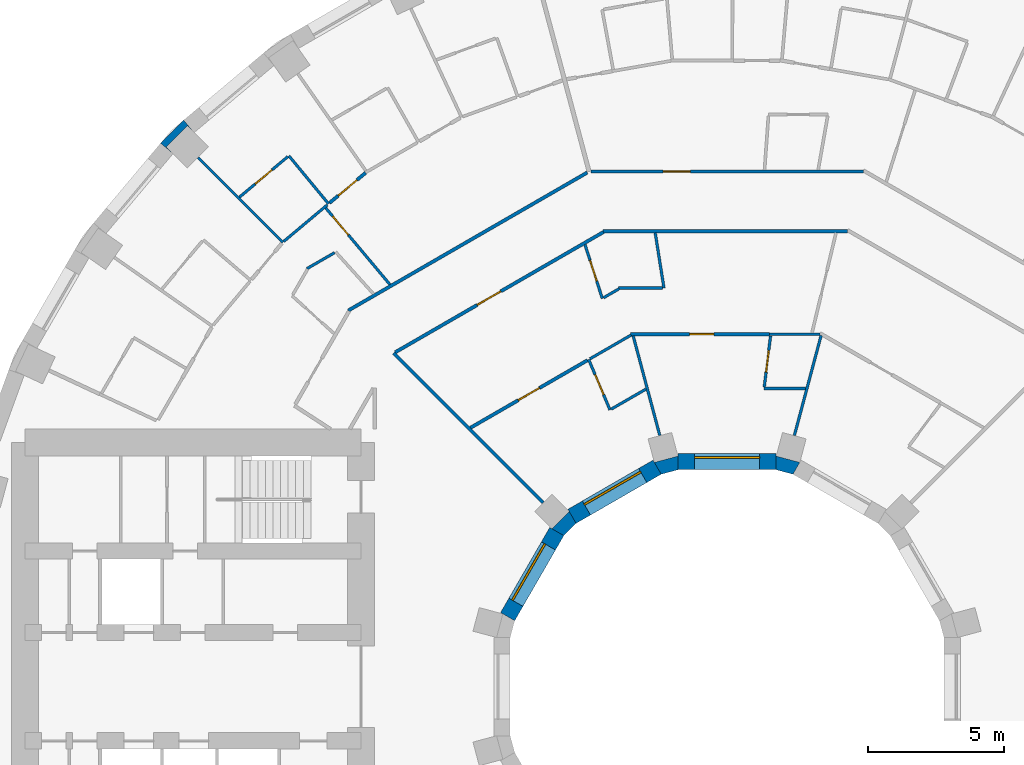
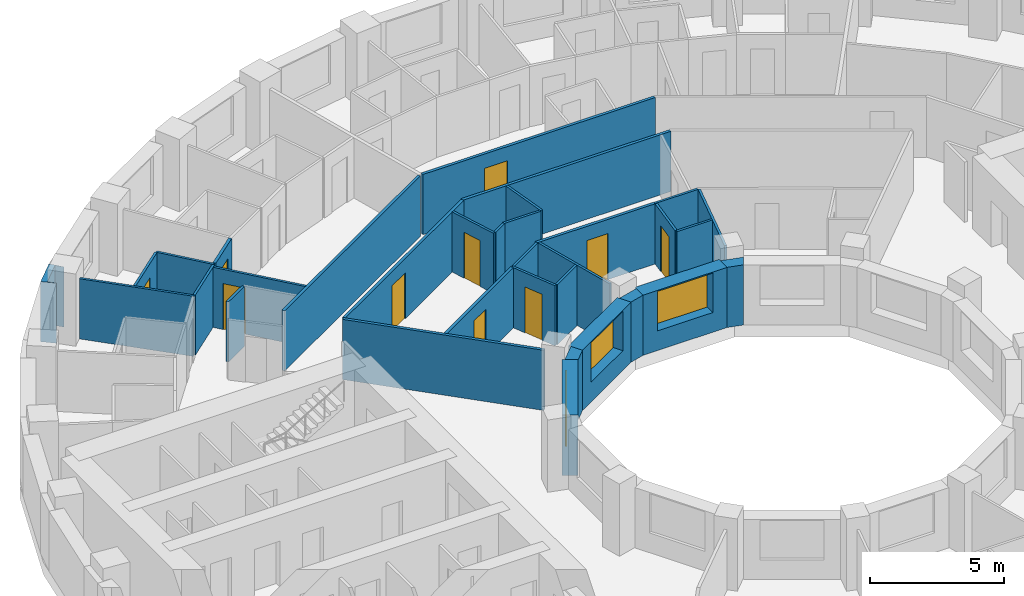
# One storey, part 9 of 14: 33 walls, 10 doors, 3 windows, 13 openings.
"""IFC4 building model written with IfcOpenShell, lengths in metres."""

from ifc_helpers import new_model, si_unit, direction, frame, frame_2d, origin, place, context, subcontext, project, spatial, polyline, rectangle, outline, extrude, material, layer, layer_set, type_object, element, fill, save


model = new_model("IFC4")

# Units and contexts
model_context = context("Model", 3, precision=1e-05, world=origin(), true_north=direction((0.0, 1.0)))
body_context = subcontext(model_context, "Body", "Model", "MODEL_VIEW")
ifc_project = project(units=[si_unit("LENGTHUNIT", "METRE"), si_unit("AREAUNIT", "SQUARE_METRE"), si_unit("VOLUMEUNIT", "CUBIC_METRE"), si_unit("PLANEANGLEUNIT", "RADIAN"), si_unit("MASSUNIT", "GRAM", prefix="KILO")], contexts=[model_context])

# Site, building, storey
site_placement = place(None, origin())
site = spatial("IfcSite", under=ifc_project, at=site_placement, CompositionType="ELEMENT")
building_placement = place(site_placement, origin())
building = spatial("IfcBuilding", under=site, at=building_placement, Name="Saqina Gate Tower", CompositionType="ELEMENT")
storey_placement = place(building_placement, frame((0.0, 0.0, 49.39990234375)))
storey = spatial("IfcBuildingStorey", under=building, at=storey_placement, Name="L13", CompositionType="ELEMENT", Elevation=49.39990234375)

# Wall
ifc_material_1 = material(Name="Brick masonry (red)", Category="masonry")
wall_type_1 = type_object("IfcWallType", Name="BRICK PIER COPING RED", PredefinedType="SOLIDWALL", material=ifc_material_1)
wall_1_placement = place(storey_placement, origin())
element("IfcWall", 1, at=wall_1_placement, inside=storey, type_object=wall_type_1, Name="Pier cap L13 column 14", PredefinedType="SOLIDWALL", context=body_context, shape_type="SweptSolid", body=[
    extrude(outline(polyline([(-20.894775390625, 20.04296875), (-20.43505859375, 19.6572265625), (-20.682861328125, 19.905029296875), (-19.905029296875, 20.682861328125), (-19.6572265625, 20.43505859375), (-20.04296875, 20.894775390625), (-20.894775390625, 20.04296875)])), origin(), (0.0, 0.0, 1.0), 2.75),
])

# Wall, opening, window
ifc_material_2 = material(Name="Glazed ceramic tile", Category="ceramic")
ifc_layer_1 = layer(ifc_material_2, 0.60009765625)
ifc_layer_set_1 = layer_set([ifc_layer_1], Name="IW-TILE")
wall_type_2 = type_object("IfcWallType", Name="IW-TILE", PredefinedType="SOLIDWALL", material=ifc_layer_set_1)
wall_2_placement = place(storey_placement, frame((1.8125, 8.300048828125, 0.0), z_axis=(0.0, 0.0, 1.0), x_axis=(-1.0, 0.0, 0.0)))
wall_2 = element("IfcWall", 2, at=wall_2_placement, inside=storey, type_object=wall_type_2, Name="Well wall L13 facet 3", PredefinedType="SOLIDWALL", context=body_context, shape_type="SweptSolid", body=[
    extrude(rectangle(XDim=3.625, YDim=0.60009765625, at=frame_2d((1.8125, 0.0))), origin(), (0.0, 0.0, 1.0), 2.75),
])
opening_1_placement = place(wall_2_placement, frame((0.612548828125, 0.0, 0.89990234375)))
opening_1 = element("IfcOpeningElement", 3, at=opening_1_placement, cuts=wall_2, Name="Opening G03-W28", PredefinedType="OPENING", context=body_context, shape_type="SweptSolid", body=[
    extrude(rectangle(XDim=2.39990234375, YDim=1.800048828125, at=frame_2d((1.199951171875, 0.89990234375))), frame((0.0, 0.31201171875, 0.0), z_axis=(0.0, -1.0, 0.0), x_axis=(1.0, 0.0, 0.0)), (0.0, 0.0, 1.0), 0.6240234375),
])
ifc_material_3 = material(Name="Aluminium glazing", Category="aluminium")
window_type = type_object("IfcWindowType", Name="WN-W", PartitioningType="SINGLE_PANEL", PredefinedType="WINDOW", material=ifc_material_3)
window_1_placement = place(opening_1_placement, origin())
window_1 = element("IfcWindow", 4, at=window_1_placement, inside=storey, type_object=window_type, Name="Well window L13 facet 3", OverallHeight=1.800048828125, OverallWidth=2.39990234375, PartitioningType="SINGLE_PANEL", PredefinedType="WINDOW", context=body_context, shape_type="SweptSolid", body=[
    extrude(rectangle(XDim=2.39990234375, YDim=1.800048828125, at=frame_2d((1.199951171875, 0.89990234375))), frame((0.0, -0.119873046875, 0.0), z_axis=(0.0, -1.0, 0.0), x_axis=(1.0, 0.0, 0.0)), (0.0, 0.0, 1.0), 0.06005859375),
])
fill(opening_1, window_1)

wall_3_placement = place(storey_placement, frame((-2.580322265625, 8.09423828125, 0.0), z_axis=(0.0, 0.0, 1.0), x_axis=(-0.866029693906, -0.499992569217, 0.0)))
wall_3 = element("IfcWall", 5, at=wall_3_placement, inside=storey, type_object=wall_type_2, Name="Well wall L13 facet 4", PredefinedType="SOLIDWALL", context=body_context, shape_type="SweptSolid", body=[
    extrude(rectangle(XDim=3.625, YDim=0.60009765625, at=frame_2d((1.8125, 0.0))), origin(), (0.0, 0.0, 1.0), 2.75),
])
opening_2_placement = place(wall_3_placement, frame((0.612548828125, 0.0, 0.89990234375)))
opening_2 = element("IfcOpeningElement", 6, at=opening_2_placement, cuts=wall_3, Name="Opening G03-W29", PredefinedType="OPENING", context=body_context, shape_type="SweptSolid", body=[
    extrude(rectangle(XDim=2.39990234375, YDim=1.800048828125, at=frame_2d((1.199951171875, 0.89990234375))), frame((0.0, 0.31201171875, 0.0), z_axis=(0.0, -1.0, 0.0), x_axis=(1.0, 0.0, 0.0)), (0.0, 0.0, 1.0), 0.6240234375),
])
window_2_placement = place(opening_2_placement, origin())
window_2 = element("IfcWindow", 7, at=window_2_placement, inside=storey, type_object=window_type, Name="Well window L13 facet 4", OverallHeight=1.800048828125, OverallWidth=2.39990234375, PartitioningType="SINGLE_PANEL", PredefinedType="WINDOW", context=body_context, shape_type="SweptSolid", body=[
    extrude(rectangle(XDim=2.39990234375, YDim=1.800048828125, at=frame_2d((1.199951171875, 0.89990234375))), frame((0.0, -0.119873046875, 0.0), z_axis=(0.0, -1.0, 0.0), x_axis=(1.0, 0.0, 0.0)), (0.0, 0.0, 1.0), 0.06005859375),
])
fill(opening_2, window_2)

wall_4_placement = place(storey_placement, frame((-6.28173828125, 5.7197265625, 0.0), z_axis=(0.0, 0.0, 1.0), x_axis=(-0.499992569217, -0.866029693906, 0.0)))
wall_4 = element("IfcWall", 8, at=wall_4_placement, inside=storey, type_object=wall_type_2, Name="Well wall L13 facet 5", PredefinedType="SOLIDWALL", context=body_context, shape_type="SweptSolid", body=[
    extrude(rectangle(XDim=3.625, YDim=0.60009765625, at=frame_2d((1.8125, 0.0))), origin(), (0.0, 0.0, 1.0), 2.75),
])
opening_3_placement = place(wall_4_placement, frame((0.612548828125, 0.0, 0.89990234375)))
opening_3 = element("IfcOpeningElement", 9, at=opening_3_placement, cuts=wall_4, Name="Opening G03-W30", PredefinedType="OPENING", context=body_context, shape_type="SweptSolid", body=[
    extrude(rectangle(XDim=2.39990234375, YDim=1.800048828125, at=frame_2d((1.199951171875, 0.89990234375))), frame((0.0, 0.31201171875, 0.0), z_axis=(0.0, -1.0, 0.0), x_axis=(1.0, 0.0, 0.0)), (0.0, 0.0, 1.0), 0.6240234375),
])
window_3_placement = place(opening_3_placement, origin())
window_3 = element("IfcWindow", 10, at=window_3_placement, inside=storey, type_object=window_type, Name="Well window L13 facet 5", OverallHeight=1.800048828125, OverallWidth=2.39990234375, PartitioningType="SINGLE_PANEL", PredefinedType="WINDOW", context=body_context, shape_type="SweptSolid", body=[
    extrude(rectangle(XDim=2.39990234375, YDim=1.800048828125, at=frame_2d((1.199951171875, 0.89990234375))), frame((0.0, -0.119873046875, 0.0), z_axis=(0.0, -1.0, 0.0), x_axis=(1.0, 0.0, 0.0)), (0.0, 0.0, 1.0), 0.06005859375),
])
fill(opening_3, window_3)

# Walls
ifc_material_4 = material(Name="Gypsum board on steel studs, 100 mm", Category="steel")
ifc_layer_2 = layer(ifc_material_4, 0.10009765625)
ifc_layer_set_2 = layer_set([ifc_layer_2], Name="PARTITION 100")
wall_type_3 = type_object("IfcWallType", Name="PARTITION 100", PredefinedType="PARTITIONING", material=ifc_layer_set_2)
wall_5_placement = place(storey_placement, frame((-2.651123046875, 16.73828125, 0.0), z_axis=(0.0, 0.0, 1.0), x_axis=(0.156624679591, -0.987658194794, 0.0)))
element("IfcWall", 11, at=wall_5_placement, inside=storey, type_object=wall_type_3, Name="PARTITION PW3-04", PredefinedType="PARTITIONING", context=body_context, shape_type="SweptSolid", body=[
    extrude(rectangle(XDim=2.063720703125, YDim=0.10009765625, at=frame_2d((1.03173828125, 0.0))), origin(), (0.0, 0.0, 1.0), 2.75),
])
wall_6_placement = place(storey_placement, frame((-3.46435546875, 12.940185546875, 0.0), z_axis=(0.0, 0.0, 1.0), x_axis=(0.258149993738, -0.966104849762, 0.0)))
element("IfcWall", 12, at=wall_6_placement, inside=storey, type_object=wall_type_3, Name="PARTITION PW3-07", PredefinedType="PARTITIONING", context=body_context, shape_type="SweptSolid", body=[
    extrude(rectangle(XDim=3.8037109375, YDim=0.10009765625, at=frame_2d((1.90185546875, 0.0))), origin(), (0.0, 0.0, 1.0), 2.75),
])

# Wall, opening, door
wall_7_placement = place(storey_placement, frame((-5.240966796875, 16.302490234375, 0.0), z_axis=(0.0, 0.0, 1.0), x_axis=(0.306308477414, -0.951932306766, 0.0)))
wall_7 = element("IfcWall", 13, at=wall_7_placement, inside=storey, type_object=wall_type_3, Name="PARTITION PW3-10", PredefinedType="PARTITIONING", context=body_context, shape_type="SweptSolid", body=[
    extrude(rectangle(XDim=2.0859375, YDim=0.10009765625, at=frame_2d((1.04296875, 0.0))), origin(), (0.0, 0.0, 1.0), 2.75),
])
opening_4_placement = place(wall_7_placement, frame((0.611572265625, 0.0, 0.0)))
opening_4 = element("IfcOpeningElement", 14, at=opening_4_placement, cuts=wall_7, Name="Opening G03-D23", PredefinedType="OPENING", context=body_context, shape_type="SweptSolid", body=[
    extrude(rectangle(XDim=0.800048828125, YDim=2.10009765625, at=frame_2d((0.39990234375, 1.050048828125))), frame((0.0, 0.06201171875, 0.0), z_axis=(0.0, -1.0, 0.0), x_axis=(1.0, 0.0, 0.0)), (0.0, 0.0, 1.0), 0.1240234375),
])
ifc_material_5 = material(Name="Timber door leaf, 800 mm", Category="wood")
door_type_1 = type_object("IfcDoorType", Name="DOOR 800 TIMBER", OperationType="SINGLE_SWING_LEFT", PredefinedType="DOOR", material=ifc_material_5)
door_1_placement = place(opening_4_placement, frame((0.800048828125, 0.0, 0.0), z_axis=(0.0, 0.0, 1.0), x_axis=(-1.0, 0.0, 0.0)))
door_1 = element("IfcDoor", 15, at=door_1_placement, inside=storey, type_object=door_type_1, Name="DOOR G03-D23", OperationType="SINGLE_SWING_RIGHT", OverallHeight=2.10009765625, OverallWidth=0.800048828125, PredefinedType="DOOR", context=body_context, shape_type="SweptSolid", body=[
    extrude(rectangle(XDim=0.800048828125, YDim=2.10009765625, at=frame_2d((0.39990234375, 1.050048828125))), frame((0.0, 0.02490234375, 0.0), z_axis=(0.0, -1.0, 0.0), x_axis=(1.0, 0.0, 0.0)), (0.0, 0.0, 1.0), 0.050048828125),
])
fill(opening_4, door_1)

wall_8_placement = place(storey_placement, frame((-5.10400390625, 12.06396484375, 0.0), z_axis=(0.0, 0.0, 1.0), x_axis=(0.389513511619, -0.921020751268, 0.0)))
wall_8 = element("IfcWall", 16, at=wall_8_placement, inside=storey, type_object=wall_type_3, Name="PARTITION PW3-13", PredefinedType="PARTITIONING", context=body_context, shape_type="SweptSolid", body=[
    extrude(rectangle(XDim=2.01513671875, YDim=0.10009765625, at=frame_2d((1.007568359375, 0.0))), origin(), (0.0, 0.0, 1.0), 2.75),
])
opening_5_placement = place(wall_8_placement, frame((0.607666015625, 0.0, 0.0)))
opening_5 = element("IfcOpeningElement", 17, at=opening_5_placement, cuts=wall_8, Name="Opening G03-D25", PredefinedType="OPENING", context=body_context, shape_type="SweptSolid", body=[
    extrude(rectangle(XDim=0.800048828125, YDim=2.10009765625, at=frame_2d((0.39990234375, 1.050048828125))), frame((0.0, 0.06201171875, 0.0), z_axis=(0.0, -1.0, 0.0), x_axis=(1.0, 0.0, 0.0)), (0.0, 0.0, 1.0), 0.1240234375),
])
door_2_placement = place(opening_5_placement, frame((0.800048828125, 0.0, 0.0), z_axis=(0.0, 0.0, 1.0), x_axis=(-1.0, 0.0, 0.0)))
door_2 = element("IfcDoor", 18, at=door_2_placement, inside=storey, type_object=door_type_1, Name="DOOR G03-D25", OperationType="SINGLE_SWING_RIGHT", OverallHeight=2.10009765625, OverallWidth=0.800048828125, PredefinedType="DOOR", context=body_context, shape_type="SweptSolid", body=[
    extrude(rectangle(XDim=0.800048828125, YDim=2.10009765625, at=frame_2d((0.39990234375, 1.050048828125))), frame((0.0, 0.02490234375, 0.0), z_axis=(0.0, -1.0, 0.0), x_axis=(1.0, 0.0, 0.0)), (0.0, 0.0, 1.0), 0.050048828125),
])
fill(opening_5, door_2)

# Wall
wall_9_placement = place(storey_placement, frame((-16.1640625, 19.580078125, 0.0), z_axis=(0.0, 0.0, 1.0), x_axis=(0.636700344293, -0.771111322428, 0.0)))
element("IfcWall", 19, at=wall_9_placement, inside=storey, type_object=wall_type_3, Name="PARTITION PW3-26", PredefinedType="PARTITIONING", context=body_context, shape_type="SweptSolid", body=[
    extrude(rectangle(XDim=2.299560546875, YDim=0.10009765625, at=frame_2d((1.14990234375, 0.0))), origin(), (0.0, 0.0, 1.0), 2.75),
])

# Wall, opening, door
wall_10_placement = place(storey_placement, frame((-14.802978515625, 17.65478515625, 0.0), z_axis=(0.0, 0.0, 1.0), x_axis=(0.642514396039, -0.766273613589, 0.0)))
wall_10 = element("IfcWall", 20, at=wall_10_placement, inside=storey, type_object=wall_type_3, Name="PARTITION PW3-30", PredefinedType="PARTITIONING", context=body_context, shape_type="SweptSolid", body=[
    extrude(rectangle(XDim=3.68505859375, YDim=0.10009765625, at=frame_2d((1.842529296875, 0.0))), origin(), (0.0, 0.0, 1.0), 2.75),
])
opening_6_placement = place(wall_10_placement, frame((0.398681640625, 0.0, 0.0)))
opening_6 = element("IfcOpeningElement", 21, at=opening_6_placement, cuts=wall_10, Name="Opening G03-D31", PredefinedType="OPENING", context=body_context, shape_type="SweptSolid", body=[
    extrude(rectangle(XDim=0.89990234375, YDim=2.10009765625, at=frame_2d((0.449951171875, 1.050048828125))), frame((0.0, 0.06201171875, 0.0), z_axis=(0.0, -1.0, 0.0), x_axis=(1.0, 0.0, 0.0)), (0.0, 0.0, 1.0), 0.1240234375),
])
ifc_material_6 = material(Name="Timber door leaf, 900 mm", Category="wood")
door_type_2 = type_object("IfcDoorType", Name="DOOR 900 TIMBER", OperationType="SINGLE_SWING_LEFT", PredefinedType="DOOR", material=ifc_material_6)
door_3_placement = place(opening_6_placement, frame((0.89990234375, 0.0, 0.0), z_axis=(0.0, 0.0, 1.0), x_axis=(-1.0, 0.0, 0.0)))
door_3 = element("IfcDoor", 22, at=door_3_placement, inside=storey, type_object=door_type_2, Name="DOOR G03-D31", OperationType="SINGLE_SWING_RIGHT", OverallHeight=2.10009765625, OverallWidth=0.89990234375, PredefinedType="DOOR", context=body_context, shape_type="SweptSolid", body=[
    extrude(rectangle(XDim=0.89990234375, YDim=2.10009765625, at=frame_2d((0.449951171875, 1.050048828125))), frame((0.0, 0.02490234375, 0.0), z_axis=(0.0, -1.0, 0.0), x_axis=(1.0, 0.0, 0.0)), (0.0, 0.0, 1.0), 0.050048828125),
])
fill(opening_6, door_3)

# Walls
wall_11_placement = place(storey_placement, frame((-19.509033203125, 19.509033203125, 0.0), z_axis=(0.0, 0.0, 1.0), x_axis=(0.707106781187, -0.707106781187, 0.0)))
element("IfcWall", 23, at=wall_11_placement, inside=storey, type_object=wall_type_3, Name="PARTITION PW3-33", PredefinedType="PARTITIONING", context=body_context, shape_type="SweptSolid", body=[
    extrude(rectangle(XDim=4.41259765625, YDim=0.10009765625, at=frame_2d((2.206298828125, 0.0))), origin(), (0.0, 0.0, 1.0), 2.75),
])
wall_12_placement = place(storey_placement, frame((1.364013671875, 11.0, 0.0), z_axis=(0.0, 0.0, 1.0), x_axis=(1.0, 0.0, 0.0)))
element("IfcWall", 24, at=wall_12_placement, inside=storey, type_object=wall_type_3, Name="PARTITION PW3-64", PredefinedType="PARTITIONING", context=body_context, shape_type="SweptSolid", body=[
    extrude(rectangle(XDim=1.532958984375, YDim=0.10009765625, at=frame_2d((0.7666015625, 0.0))), origin(), (0.0, 0.0, 1.0), 2.75),
])
wall_13_placement = place(storey_placement, frame((1.56201171875, 13.0, 0.0), z_axis=(0.0, 0.0, 1.0), x_axis=(1.0, 0.0, 0.0)))
element("IfcWall", 25, at=wall_13_placement, inside=storey, type_object=wall_type_3, Name="PARTITION PW3-65", PredefinedType="PARTITIONING", context=body_context, shape_type="SweptSolid", body=[
    extrude(rectangle(XDim=1.8583984375, YDim=0.10009765625, at=frame_2d((0.92919921875, 0.0))), origin(), (0.0, 0.0, 1.0), 2.75),
])
wall_14_placement = place(storey_placement, frame((-3.996826171875, 14.699951171875, 0.0), z_axis=(0.0, 0.0, 1.0), x_axis=(1.0, 0.0, 0.0)))
element("IfcWall", 26, at=wall_14_placement, inside=storey, type_object=wall_type_3, Name="PARTITION PW3-66", PredefinedType="PARTITIONING", context=body_context, shape_type="SweptSolid", body=[
    extrude(rectangle(XDim=1.618896484375, YDim=0.10009765625, at=frame_2d((0.8095703125, 0.0))), origin(), (0.0, 0.0, 1.0), 2.75),
])
wall_15_placement = place(storey_placement, frame((-4.275634765625, 10.23291015625, 0.0), z_axis=(0.0, 0.0, 1.0), x_axis=(0.865996508191, 0.500050045296, 0.0)))
element("IfcWall", 27, at=wall_15_placement, inside=storey, type_object=wall_type_3, Name="PARTITION PW3-83", PredefinedType="PARTITIONING", context=body_context, shape_type="SweptSolid", body=[
    extrude(rectangle(XDim=1.483642578125, YDim=0.10009765625, at=frame_2d((0.74169921875, 0.0))), origin(), (0.0, 0.0, 1.0), 2.75),
])
wall_16_placement = place(storey_placement, frame((-5.060791015625, 12.089111328125, 0.0), z_axis=(0.0, 0.0, 1.0), x_axis=(0.86604000649, 0.499974706519, 0.0)))
element("IfcWall", 28, at=wall_16_placement, inside=storey, type_object=wall_type_3, Name="PARTITION PW3-84", PredefinedType="PARTITIONING", context=body_context, shape_type="SweptSolid", body=[
    extrude(rectangle(XDim=1.75927734375, YDim=0.10009765625, at=frame_2d((0.879638671875, 0.0))), origin(), (0.0, 0.0, 1.0), 2.75),
])
wall_17_placement = place(storey_placement, frame((-4.55859375, 14.342041015625, 0.0), z_axis=(0.0, 0.0, 1.0), x_axis=(0.865886254366, 0.500240936449, 0.0)))
element("IfcWall", 29, at=wall_17_placement, inside=storey, type_object=wall_type_3, Name="PARTITION PW3-85", PredefinedType="PARTITIONING", context=body_context, shape_type="SweptSolid", body=[
    extrude(rectangle(XDim=0.665771484375, YDim=0.10009765625, at=frame_2d((0.3330078125, 0.0))), origin(), (0.0, 0.0, 1.0), 2.75),
])
wall_18_placement = place(storey_placement, frame((-15.49609375, 15.417236328125, 0.0), z_axis=(0.0, 0.0, 1.0), x_axis=(0.866140661503, 0.499800314617, 0.0)))
element("IfcWall", 30, at=wall_18_placement, inside=storey, type_object=wall_type_3, Name="PARTITION PW3-86", PredefinedType="PARTITIONING", context=body_context, shape_type="SweptSolid", body=[
    extrude(rectangle(XDim=1.17626953125, YDim=0.10009765625, at=frame_2d((0.588134765625, 0.0))), origin(), (0.0, 0.0, 1.0), 2.75),
])
wall_19_placement = place(storey_placement, frame((-16.3505859375, 16.421142578125, 0.0), z_axis=(0.0, 0.0, 1.0), x_axis=(0.765854222204, 0.643014238048, 0.0)))
element("IfcWall", 31, at=wall_19_placement, inside=storey, type_object=wall_type_3, Name="PARTITION PW3-95", PredefinedType="PARTITIONING", context=body_context, shape_type="SweptSolid", body=[
    extrude(rectangle(XDim=2.0927734375, YDim=0.10009765625, at=frame_2d((1.04638671875, 0.0))), origin(), (0.0, 0.0, 1.0), 2.75),
])

# Wall, opening, door
wall_20_placement = place(storey_placement, frame((-17.983642578125, 18.05419921875, 0.0), z_axis=(0.0, 0.0, 1.0), x_axis=(0.766254925891, 0.642536682648, 0.0)))
wall_20 = element("IfcWall", 32, at=wall_20_placement, inside=storey, type_object=wall_type_3, Name="PARTITION PW3-96", PredefinedType="PARTITIONING", context=body_context, shape_type="SweptSolid", body=[
    extrude(rectangle(XDim=2.32470703125, YDim=0.10009765625, at=frame_2d((1.162353515625, 0.0))), origin(), (0.0, 0.0, 1.0), 2.75),
])
opening_7_placement = place(wall_20_placement, frame((0.762451171875, 0.0, 0.0)))
opening_7 = element("IfcOpeningElement", 33, at=opening_7_placement, cuts=wall_20, Name="Opening G03-D32", PredefinedType="OPENING", context=body_context, shape_type="SweptSolid", body=[
    extrude(rectangle(XDim=0.800048828125, YDim=2.10009765625, at=frame_2d((0.39990234375, 1.050048828125))), frame((0.0, 0.06201171875, 0.0), z_axis=(0.0, -1.0, 0.0), x_axis=(1.0, 0.0, 0.0)), (0.0, 0.0, 1.0), 0.1240234375),
])
door_4_placement = place(opening_7_placement, origin())
door_4 = element("IfcDoor", 34, at=door_4_placement, inside=storey, type_object=door_type_1, Name="DOOR G03-D32", OperationType="SINGLE_SWING_RIGHT", OverallHeight=2.10009765625, OverallWidth=0.800048828125, PredefinedType="DOOR", context=body_context, shape_type="SweptSolid", body=[
    extrude(rectangle(XDim=0.800048828125, YDim=2.10009765625, at=frame_2d((0.39990234375, 1.050048828125))), frame((0.0, 0.02490234375, 0.0), z_axis=(0.0, -1.0, 0.0), x_axis=(1.0, 0.0, 0.0)), (0.0, 0.0, 1.0), 0.050048828125),
])
fill(opening_7, door_4)

# Wall
wall_21_placement = place(storey_placement, frame((2.482421875, 9.265380859375, 0.0), z_axis=(0.0, 0.0, 1.0), x_axis=(0.258188185818, 0.966094643761, 0.0)))
element("IfcWall", 35, at=wall_21_placement, inside=storey, type_object=wall_type_3, Name="PARTITION PW3-119", PredefinedType="PARTITIONING", context=body_context, shape_type="SweptSolid", body=[
    extrude(rectangle(XDim=3.81640625, YDim=0.10009765625, at=frame_2d((1.908203125, 0.0))), origin(), (0.0, 0.0, 1.0), 2.75),
])

# Wall, opening, door
wall_22_placement = place(storey_placement, frame((1.3701171875, 11.049560546875, 0.0), z_axis=(0.0, 0.0, 1.0), x_axis=(0.123039852559, 0.992401730491, 0.0)))
wall_22 = element("IfcWall", 36, at=wall_22_placement, inside=storey, type_object=wall_type_3, Name="PARTITION PW3-125", PredefinedType="PARTITIONING", context=body_context, shape_type="SweptSolid", body=[
    extrude(rectangle(XDim=1.90283203125, YDim=0.10009765625, at=frame_2d((0.951416015625, 0.0))), origin(), (0.0, 0.0, 1.0), 2.75),
])
opening_8_placement = place(wall_22_placement, frame((0.5576171875, 0.0, 0.0)))
opening_8 = element("IfcOpeningElement", 37, at=opening_8_placement, cuts=wall_22, Name="Opening G03-D14", PredefinedType="OPENING", context=body_context, shape_type="SweptSolid", body=[
    extrude(rectangle(XDim=0.800048828125, YDim=2.10009765625, at=frame_2d((0.39990234375, 1.050048828125))), frame((0.0, 0.06201171875, 0.0), z_axis=(0.0, -1.0, 0.0), x_axis=(1.0, 0.0, 0.0)), (0.0, 0.0, 1.0), 0.1240234375),
])
door_5_placement = place(opening_8_placement, origin())
door_5 = element("IfcDoor", 38, at=door_5_placement, inside=storey, type_object=door_type_1, Name="DOOR G03-D14", OperationType="SINGLE_SWING_RIGHT", OverallHeight=2.10009765625, OverallWidth=0.800048828125, PredefinedType="DOOR", context=body_context, shape_type="SweptSolid", body=[
    extrude(rectangle(XDim=0.800048828125, YDim=2.10009765625, at=frame_2d((0.39990234375, 1.050048828125))), frame((0.0, 0.02490234375, 0.0), z_axis=(0.0, -1.0, 0.0), x_axis=(1.0, 0.0, 0.0)), (0.0, 0.0, 1.0), 0.050048828125),
])
fill(opening_8, door_5)

# Wall
ifc_material_7 = material(Name="Gypsum board on steel studs, 125 mm, fire rated", Category="steel")
ifc_layer_3 = layer(ifc_material_7, 0.125)
ifc_layer_set_3 = layer_set([ifc_layer_3], Name="PARTITION EI 30 125")
wall_type_4 = type_object("IfcWallType", Name="PARTITION EI 30 125", PredefinedType="PARTITIONING", material=ifc_layer_set_3)
wall_23_placement = place(storey_placement, frame((-12.298095703125, 12.298095703125, 0.0), z_axis=(0.0, 0.0, 1.0), x_axis=(0.707106781187, -0.707106781187, 0.0)))
element("IfcWall", 39, at=wall_23_placement, inside=storey, type_object=wall_type_4, Name="PARTITION PW1-06", PredefinedType="PARTITIONING", context=body_context, shape_type="SweptSolid", body=[
    extrude(rectangle(XDim=7.7998046875, YDim=0.125, at=frame_2d((3.89990234375, 0.0))), origin(), (0.0, 0.0, 1.0), 2.75),
])

# Wall, opening, door
wall_24_placement = place(storey_placement, frame((-3.55517578125, 13.0, 0.0), z_axis=(0.0, 0.0, 1.0), x_axis=(1.0, 0.0, 0.0)))
wall_24 = element("IfcWall", 40, at=wall_24_placement, inside=storey, type_object=wall_type_4, Name="PARTITION PW1-27", PredefinedType="PARTITIONING", context=body_context, shape_type="SweptSolid", body=[
    extrude(rectangle(XDim=5.1171875, YDim=0.125, at=frame_2d((2.55859375, 0.0))), origin(), (0.0, 0.0, 1.0), 2.75),
])
opening_9_placement = place(wall_24_placement, frame((2.169677734375, 0.0, 0.0)))
opening_9 = element("IfcOpeningElement", 41, at=opening_9_placement, cuts=wall_24, Name="Opening G03-D18", PredefinedType="OPENING", context=body_context, shape_type="SweptSolid", body=[
    extrude(rectangle(XDim=0.89990234375, YDim=2.10009765625, at=frame_2d((0.449951171875, 1.050048828125))), frame((0.0, 0.074462890625, 0.0), z_axis=(0.0, -1.0, 0.0), x_axis=(1.0, 0.0, 0.0)), (0.0, 0.0, 1.0), 0.14892578125),
])
ifc_material_8 = material(Name="Fire door leaf EI 30, 900 mm")
door_type_3 = type_object("IfcDoorType", Name="DOOR 900 EI 30", OperationType="SINGLE_SWING_LEFT", PredefinedType="DOOR", material=ifc_material_8)
door_6_placement = place(opening_9_placement, origin())
door_6 = element("IfcDoor", 42, at=door_6_placement, inside=storey, type_object=door_type_3, Name="DOOR G03-D18", OperationType="SINGLE_SWING_RIGHT", OverallHeight=2.10009765625, OverallWidth=0.89990234375, PredefinedType="DOOR", context=body_context, shape_type="SweptSolid", body=[
    extrude(rectangle(XDim=0.89990234375, YDim=2.10009765625, at=frame_2d((0.449951171875, 1.050048828125))), frame((0.0, 0.02490234375, 0.0), z_axis=(0.0, -1.0, 0.0), x_axis=(1.0, 0.0, 0.0)), (0.0, 0.0, 1.0), 0.050048828125),
])
fill(opening_9, door_6)

# Wall
wall_25_placement = place(storey_placement, frame((-4.57421875, 16.800048828125, 0.0), z_axis=(0.0, 0.0, 1.0), x_axis=(1.0, 0.0, 0.0)))
element("IfcWall", 43, at=wall_25_placement, inside=storey, type_object=wall_type_4, Name="PARTITION PW1-28", PredefinedType="PARTITIONING", context=body_context, shape_type="SweptSolid", body=[
    extrude(rectangle(XDim=9.013671875, YDim=0.125, at=frame_2d((4.5068359375, 0.0))), origin(), (0.0, 0.0, 1.0), 2.75),
])

# Wall, opening, door
wall_26_placement = place(storey_placement, frame((-5.01611328125, 19.0, 0.0), z_axis=(0.0, 0.0, 1.0), x_axis=(1.0, 0.0, 0.0)))
wall_26 = element("IfcWall", 44, at=wall_26_placement, inside=storey, type_object=wall_type_4, Name="PARTITION PW1-29", PredefinedType="PARTITIONING", context=body_context, shape_type="SweptSolid", body=[
    extrude(rectangle(XDim=10.044677734375, YDim=0.125, at=frame_2d((5.0224609375, 0.0))), origin(), (0.0, 0.0, 1.0), 2.75),
])
opening_10_placement = place(wall_26_placement, frame((2.658935546875, 0.0, 0.0)))
opening_10 = element("IfcOpeningElement", 45, at=opening_10_placement, cuts=wall_26, Name="Opening G03-D19", PredefinedType="OPENING", context=body_context, shape_type="SweptSolid", body=[
    extrude(rectangle(XDim=1.0, YDim=2.10009765625, at=frame_2d((0.5, 1.050048828125))), frame((0.0, 0.074462890625, 0.0), z_axis=(0.0, -1.0, 0.0), x_axis=(1.0, 0.0, 0.0)), (0.0, 0.0, 1.0), 0.14892578125),
])
ifc_material_9 = material(Name="Fire door leaf EI 30, 1000 mm")
door_type_4 = type_object("IfcDoorType", Name="DOOR 1000 EI 30", OperationType="SINGLE_SWING_LEFT", PredefinedType="DOOR", material=ifc_material_9)
door_7_placement = place(opening_10_placement, origin())
door_7 = element("IfcDoor", 46, at=door_7_placement, inside=storey, type_object=door_type_4, Name="DOOR G03-D19", OperationType="SINGLE_SWING_LEFT", OverallHeight=2.10009765625, OverallWidth=1.0, PredefinedType="DOOR", context=body_context, shape_type="SweptSolid", body=[
    extrude(rectangle(XDim=1.0, YDim=2.10009765625, at=frame_2d((0.5, 1.050048828125))), frame((0.0, 0.02490234375, 0.0), z_axis=(0.0, -1.0, 0.0), x_axis=(1.0, 0.0, 0.0)), (0.0, 0.0, 1.0), 0.050048828125),
])
fill(opening_10, door_7)

wall_27_placement = place(storey_placement, frame((-9.462890625, 9.54833984375, 0.0), z_axis=(0.0, 0.0, 1.0), x_axis=(0.866106452525, 0.499859593181, 0.0)))
wall_27 = element("IfcWall", 47, at=wall_27_placement, inside=storey, type_object=wall_type_4, Name="PARTITION PW1-38", PredefinedType="PARTITIONING", context=body_context, shape_type="SweptSolid", body=[
    extrude(rectangle(XDim=4.98291015625, YDim=0.125, at=frame_2d((2.491455078125, 0.0))), origin(), (0.0, 0.0, 1.0), 2.75),
])
opening_11_placement = place(wall_27_placement, frame((2.03515625, 0.0, 0.0)))
opening_11 = element("IfcOpeningElement", 48, at=opening_11_placement, cuts=wall_27, Name="Opening G03-D29", PredefinedType="OPENING", context=body_context, shape_type="SweptSolid", body=[
    extrude(rectangle(XDim=0.89990234375, YDim=2.10009765625, at=frame_2d((0.449951171875, 1.050048828125))), frame((0.0, 0.074462890625, 0.0), z_axis=(0.0, -1.0, 0.0), x_axis=(1.0, 0.0, 0.0)), (0.0, 0.0, 1.0), 0.14892578125),
])
door_8_placement = place(opening_11_placement, origin())
door_8 = element("IfcDoor", 49, at=door_8_placement, inside=storey, type_object=door_type_3, Name="DOOR G03-D29", OperationType="SINGLE_SWING_LEFT", OverallHeight=2.10009765625, OverallWidth=0.89990234375, PredefinedType="DOOR", context=body_context, shape_type="SweptSolid", body=[
    extrude(rectangle(XDim=0.89990234375, YDim=2.10009765625, at=frame_2d((0.449951171875, 1.050048828125))), frame((0.0, 0.02490234375, 0.0), z_axis=(0.0, -1.0, 0.0), x_axis=(1.0, 0.0, 0.0)), (0.0, 0.0, 1.0), 0.050048828125),
])
fill(opening_11, door_8)

wall_28_placement = place(storey_placement, frame((-12.243896484375, 12.329345703125, 0.0), z_axis=(0.0, 0.0, 1.0), x_axis=(0.865979941794, 0.500078734211, 0.0)))
wall_28 = element("IfcWall", 50, at=wall_28_placement, inside=storey, type_object=wall_type_4, Name="PARTITION PW1-39", PredefinedType="PARTITIONING", context=body_context, shape_type="SweptSolid", body=[
    extrude(rectangle(XDim=8.87744140625, YDim=0.125, at=frame_2d((4.438720703125, 0.0))), origin(), (0.0, 0.0, 1.0), 2.75),
])
opening_12_placement = place(wall_28_placement, frame((3.5009765625, 0.0, 0.0)))
opening_12 = element("IfcOpeningElement", 51, at=opening_12_placement, cuts=wall_28, Name="Opening G03-D27", PredefinedType="OPENING", context=body_context, shape_type="SweptSolid", body=[
    extrude(rectangle(XDim=1.0, YDim=2.10009765625, at=frame_2d((0.5, 1.050048828125))), frame((0.0, 0.074462890625, 0.0), z_axis=(0.0, -1.0, 0.0), x_axis=(1.0, 0.0, 0.0)), (0.0, 0.0, 1.0), 0.14892578125),
])
door_9_placement = place(opening_12_placement, frame((1.0, 0.0, 0.0), z_axis=(0.0, 0.0, 1.0), x_axis=(-1.0, 0.0, 0.0)))
door_9 = element("IfcDoor", 52, at=door_9_placement, inside=storey, type_object=door_type_4, Name="DOOR G03-D27", OperationType="SINGLE_SWING_RIGHT", OverallHeight=2.10009765625, OverallWidth=1.0, PredefinedType="DOOR", context=body_context, shape_type="SweptSolid", body=[
    extrude(rectangle(XDim=1.0, YDim=2.10009765625, at=frame_2d((0.5, 1.050048828125))), frame((0.0, 0.02490234375, 0.0), z_axis=(0.0, -1.0, 0.0), x_axis=(1.0, 0.0, 0.0)), (0.0, 0.0, 1.0), 0.050048828125),
])
fill(opening_12, door_9)

# Wall
wall_29_placement = place(storey_placement, frame((-13.971435546875, 13.872802734375, 0.0), z_axis=(0.0, 0.0, 1.0), x_axis=(0.86602502492, 0.500000656212, 0.0)))
element("IfcWall", 53, at=wall_29_placement, inside=storey, type_object=wall_type_4, Name="PARTITION PW1-40", PredefinedType="PARTITIONING", context=body_context, shape_type="SweptSolid", body=[
    extrude(rectangle(XDim=10.17919921875, YDim=0.125, at=frame_2d((5.089599609375, 0.0))), origin(), (0.0, 0.0, 1.0), 2.75),
])

# Wall, opening, door
wall_30_placement = place(storey_placement, frame((-14.66259765625, 17.840087890625, 0.0), z_axis=(0.0, 0.0, 1.0), x_axis=(0.767205284681, 0.641401630149, 0.0)))
wall_30 = element("IfcWall", 54, at=wall_30_placement, inside=storey, type_object=wall_type_4, Name="PARTITION PW1-46", PredefinedType="PARTITIONING", context=body_context, shape_type="SweptSolid", body=[
    extrude(rectangle(XDim=1.73486328125, YDim=0.125, at=frame_2d((0.867431640625, 0.0))), origin(), (0.0, 0.0, 1.0), 2.75),
])
opening_13_placement = place(wall_30_placement, frame((0.41748046875, 0.0, 0.0)))
opening_13 = element("IfcOpeningElement", 55, at=opening_13_placement, cuts=wall_30, Name="Opening G03-D30", PredefinedType="OPENING", context=body_context, shape_type="SweptSolid", body=[
    extrude(rectangle(XDim=0.89990234375, YDim=2.10009765625, at=frame_2d((0.449951171875, 1.050048828125))), frame((0.0, 0.074462890625, 0.0), z_axis=(0.0, -1.0, 0.0), x_axis=(1.0, 0.0, 0.0)), (0.0, 0.0, 1.0), 0.14892578125),
])
door_10_placement = place(opening_13_placement, frame((0.89990234375, 0.0, 0.0), z_axis=(0.0, 0.0, 1.0), x_axis=(-1.0, 0.0, 0.0)))
door_10 = element("IfcDoor", 56, at=door_10_placement, inside=storey, type_object=door_type_3, Name="DOOR G03-D30", OperationType="SINGLE_SWING_RIGHT", OverallHeight=2.10009765625, OverallWidth=0.89990234375, PredefinedType="DOOR", context=body_context, shape_type="SweptSolid", body=[
    extrude(rectangle(XDim=0.89990234375, YDim=2.10009765625, at=frame_2d((0.449951171875, 1.050048828125))), frame((0.0, 0.02490234375, 0.0), z_axis=(0.0, -1.0, 0.0), x_axis=(1.0, 0.0, 0.0)), (0.0, 0.0, 1.0), 0.050048828125),
])
fill(opening_13, door_10)

# Walls
ifc_material_10 = material(Name="Glazed ceramic tile", Category="ceramic")
wall_type_5 = type_object("IfcWallType", Name="TILE PIER COPING", PredefinedType="SOLIDWALL", material=ifc_material_10)
wall_31_placement = place(storey_placement, origin())
element("IfcWall", 57, at=wall_31_placement, inside=storey, type_object=wall_type_5, Name="Well pier cap L13 column 3", PredefinedType="SOLIDWALL", context=body_context, shape_type="SweptSolid", body=[
    extrude(outline(polyline([(1.8125, 8.502685546875), (1.8125, 8.0), (2.430419921875, 7.83447265625), (2.681884765625, 8.27001953125), (1.8125, 8.502685546875)])), origin(), (0.0, 0.0, 1.0), 2.75),
])
wall_32_placement = place(storey_placement, origin())
element("IfcWall", 58, at=wall_32_placement, inside=storey, type_object=wall_type_5, Name="Well pier cap L13 column 4", PredefinedType="SOLIDWALL", context=body_context, shape_type="SweptSolid", body=[
    extrude(outline(polyline([(-2.681884765625, 8.27001953125), (-2.430419921875, 7.83447265625), (-1.8125, 8.0), (-1.8125, 8.502685546875), (-2.681884765625, 8.27001953125)])), origin(), (0.0, 0.0, 1.0), 2.75),
])
wall_33_placement = place(storey_placement, origin())
element("IfcWall", 59, at=wall_33_placement, inside=storey, type_object=wall_type_5, Name="Well pier cap L13 column 5", PredefinedType="SOLIDWALL", context=body_context, shape_type="SweptSolid", body=[
    extrude(outline(polyline([(-6.45751953125, 5.821044921875), (-6.02197265625, 5.569580078125), (-5.569580078125, 6.02197265625), (-5.821044921875, 6.45751953125), (-6.45751953125, 5.821044921875)])), origin(), (0.0, 0.0, 1.0), 2.75),
])

save(model, "model.ifc")
